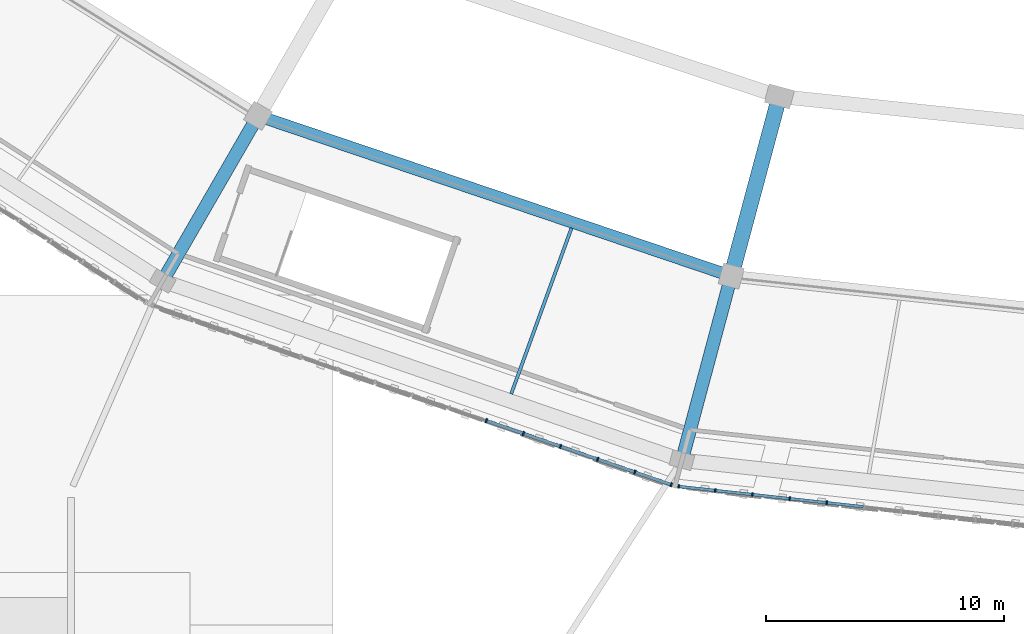
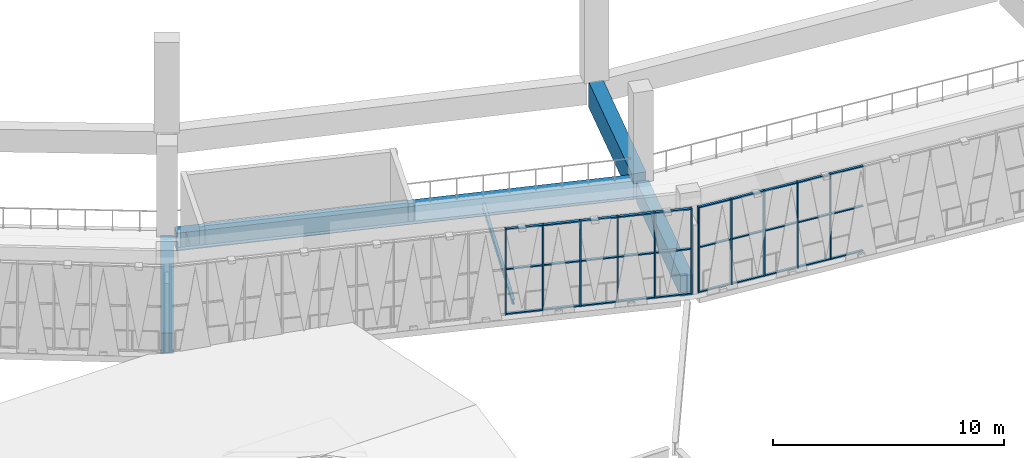
# One storey, part 8 of 108: 41 members, 5 beams, 2 elements without a shape of their own.
"""IFC4 building model written with IfcOpenShell, lengths in metres."""

from ifc_helpers import new_model, si_unit, direction, frame, origin, origin_2d, place, context, subcontext, project, spatial, rectangle, i_section, extrude, material, material_profile, profile_set, type_object, element, aggregate, save


model = new_model("IFC4")

# Units and contexts
model_context = context("Model", 3, precision=1e-05, world=origin(), true_north=direction((0.0, 1.0)))
body_context = subcontext(model_context, "Body", "Model", "MODEL_VIEW")
ifc_project = project(units=[si_unit("LENGTHUNIT", "METRE"), si_unit("AREAUNIT", "SQUARE_METRE"), si_unit("VOLUMEUNIT", "CUBIC_METRE"), si_unit("PLANEANGLEUNIT", "RADIAN"), si_unit("MASSUNIT", "GRAM", prefix="KILO")], contexts=[model_context])

# Site, building, storey
site_placement = place(None, origin())
site = spatial("IfcSite", under=ifc_project, at=site_placement, CompositionType="ELEMENT")
building_placement = place(site_placement, origin())
building = spatial("IfcBuilding", under=site, at=building_placement, Name="Zevraka Park Crest Stadium", CompositionType="ELEMENT")
storey_placement = place(building_placement, frame((0.0, 0.0, 19.800048828125)))
storey = spatial("IfcBuildingStorey", under=building, at=storey_placement, Name="L04", CompositionType="ELEMENT", Elevation=19.800048828125)

# Beams
ifc_material_1 = material(Name="Concrete C40/50", Category="concrete")
ifc_material_profile_1 = material_profile(ifc_material_1, rectangle(XDim=0.64990234375, YDim=1.35009765625, at=origin_2d()), Name="RC 1350x650")
ifc_profile_set_1 = profile_set([ifc_material_profile_1], Name="Concrete C40/50")
beam_type_1 = type_object("IfcBeamType", Name="BG01", PredefinedType="BEAM", material=ifc_profile_set_1)
beam_1_placement = place(storey_placement, frame((92.639892578125, 34.237060546875, -0.68505859375), z_axis=(-0.258747385792, -0.965945024495, 0.0), x_axis=(0.965945024495, -0.258747385792, 0.0)))
element("IfcBeam", 1, at=beam_1_placement, inside=storey, type_object=beam_type_1, Name="Radial Girder BG01 L04-BC-17", PredefinedType="BEAM", context=body_context, shape_type="SweptSolid", body=[
    extrude(rectangle(XDim=0.64990234375, YDim=1.35009765625, at=origin_2d()), origin(), (0.0, 0.0, 1.0), 7.19921875),
])
ifc_material_2 = material(Name="Concrete C40/50", Category="concrete")
ifc_material_profile_2 = material_profile(ifc_material_2, rectangle(XDim=0.550048828125, YDim=1.10009765625, at=origin_2d()), Name="RC 1100x550")
ifc_profile_set_2 = profile_set([ifc_material_profile_2], Name="Concrete C40/50")
beam_type_2 = type_object("IfcBeamType", Name="BG02", PredefinedType="BEAM", material=ifc_profile_set_2)
beam_2_placement = place(storey_placement, frame((70.699951171875, 33.4560546875, -0.56005859375), z_axis=(-0.500031859608, -0.86600700885, 0.0), x_axis=(0.86600700885, -0.500031859608, 0.0)))
element("IfcBeam", 2, at=beam_2_placement, inside=storey, type_object=beam_type_2, Name="Radial Girder BG02 L04-CD-16", PredefinedType="BEAM", context=body_context, shape_type="SweptSolid", body=[
    extrude(rectangle(XDim=0.550048828125, YDim=1.10009765625, at=origin_2d()), origin(), (0.0, 0.0, 1.0), 7.3994140625),
])
beam_3_placement = place(storey_placement, frame((90.62109375, 26.702880859375, -0.56005859375), z_axis=(-0.258697599806, -0.965958359276, 0.0), x_axis=(0.965958359276, -0.258697599806, 0.0)))
element("IfcBeam", 3, at=beam_3_placement, inside=storey, type_object=beam_type_2, Name="Radial Girder BG02 L04-CD-17", PredefinedType="BEAM", context=body_context, shape_type="SweptSolid", body=[
    extrude(rectangle(XDim=0.550048828125, YDim=1.10009765625, at=origin_2d()), origin(), (0.0, 0.0, 1.0), 7.39892578125),
])

# Curtain wall, members
ifc_material_3 = material(Name="Anodised architectural aluminium and laminated safety glass", Category="aluminium")
curtain_wall_type_1 = type_object("IfcCurtainWallType", Name="CW16", PredefinedType="NOTDEFINED", material=ifc_material_3)
curtain_wall_1_placement = place(storey_placement, origin())
curtain_wall_1 = element("IfcCurtainWall", 4, at=curtain_wall_1_placement, inside=storey, type_object=curtain_wall_type_1, Name="Unitised Ring Curtain Wall CW16 L04-17", PredefinedType="NOTDEFINED")
ifc_material_4 = material(Name="Anodised architectural aluminium", Category="aluminium")
ifc_material_profile_3 = material_profile(ifc_material_4, rectangle(XDim=0.159912109375, YDim=0.06005859375, at=origin_2d()), Name="ALU MULLION 160x60")
ifc_profile_set_3 = profile_set([ifc_material_profile_3], Name="Anodised architectural aluminium")
member_type_1 = type_object("IfcMemberType", Name="CM01", PredefinedType="MULLION", material=ifc_profile_set_3)
member_1_placement = place(storey_placement, frame((88.495849609375, 18.167724609375, 0.0), z_axis=(0.0, 0.0, 1.0), x_axis=(0.109405941967, 0.993997152844, 0.0)))
member_1 = element("IfcMember", 5, at=member_1_placement, type_object=member_type_1, Name="CW16 mullion 1", PredefinedType="MULLION", context=body_context, shape_type="SweptSolid", body=[
    extrude(rectangle(XDim=0.159912109375, YDim=0.06005859375, at=origin_2d()), origin(), (0.0, 0.0, 1.0), 4.5400390625),
])
member_2_placement = place(storey_placement, frame((90.0263671875, 17.999267578125, 0.0), z_axis=(0.0, 0.0, 1.0), x_axis=(0.109405941967, 0.993997152844, 0.0)))
member_2 = element("IfcMember", 6, at=member_2_placement, type_object=member_type_1, Name="CW16 mullion 2", PredefinedType="MULLION", context=body_context, shape_type="SweptSolid", body=[
    extrude(rectangle(XDim=0.159912109375, YDim=0.06005859375, at=origin_2d()), origin(), (0.0, 0.0, 1.0), 4.5400390625),
])
member_3_placement = place(storey_placement, frame((91.58642578125, 17.82763671875, 0.0), z_axis=(0.0, 0.0, 1.0), x_axis=(0.109405941967, 0.993997152844, 0.0)))
member_3 = element("IfcMember", 7, at=member_3_placement, type_object=member_type_1, Name="CW16 mullion 3", PredefinedType="MULLION", context=body_context, shape_type="SweptSolid", body=[
    extrude(rectangle(XDim=0.159912109375, YDim=0.06005859375, at=origin_2d()), origin(), (0.0, 0.0, 1.0), 4.5400390625),
])
member_4_placement = place(storey_placement, frame((93.146728515625, 17.65576171875, 0.0), z_axis=(0.0, 0.0, 1.0), x_axis=(0.109405941967, 0.993997152844, 0.0)))
member_4 = element("IfcMember", 8, at=member_4_placement, type_object=member_type_1, Name="CW16 mullion 4", PredefinedType="MULLION", context=body_context, shape_type="SweptSolid", body=[
    extrude(rectangle(XDim=0.159912109375, YDim=0.06005859375, at=origin_2d()), origin(), (0.0, 0.0, 1.0), 4.5400390625),
])
member_5_placement = place(storey_placement, frame((94.70703125, 17.484130859375, 0.0), z_axis=(0.0, 0.0, 1.0), x_axis=(0.109405941967, 0.993997152844, 0.0)))
member_5 = element("IfcMember", 9, at=member_5_placement, type_object=member_type_1, Name="CW16 mullion 5", PredefinedType="MULLION", context=body_context, shape_type="SweptSolid", body=[
    extrude(rectangle(XDim=0.159912109375, YDim=0.06005859375, at=origin_2d()), origin(), (0.0, 0.0, 1.0), 4.5400390625),
])

ifc_material_5 = material(Name="Anodised architectural aluminium and laminated safety glass", Category="aluminium")
curtain_wall_type_2 = type_object("IfcCurtainWallType", Name="CW17", PredefinedType="NOTDEFINED", material=ifc_material_5)
curtain_wall_2_placement = place(storey_placement, origin())
curtain_wall_2 = element("IfcCurtainWall", 10, at=curtain_wall_2_placement, inside=storey, type_object=curtain_wall_type_2, Name="Unitised Ring Curtain Wall CW17 L04-16", PredefinedType="NOTDEFINED")
ifc_material_6 = material(Name="Anodised architectural aluminium", Category="aluminium")
ifc_material_profile_4 = material_profile(ifc_material_6, rectangle(XDim=0.179931640625, YDim=0.06494140625, at=origin_2d()), Name="ALU MULLION 180x65")
ifc_profile_set_4 = profile_set([ifc_material_profile_4], Name="Anodised architectural aluminium")
member_type_2 = type_object("IfcMemberType", Name="CM02", PredefinedType="MULLION", material=ifc_profile_set_4)
member_6_placement = place(storey_placement, frame((80.4248046875, 20.9248046875, 0.0), z_axis=(0.0, 0.0, 1.0), x_axis=(0.327244524523, 0.944939691816, 0.0)))
member_6 = element("IfcMember", 11, at=member_6_placement, type_object=member_type_2, Name="CW17 mullion 10", PredefinedType="MULLION", context=body_context, shape_type="SweptSolid", body=[
    extrude(rectangle(XDim=0.179931640625, YDim=0.06494140625, at=origin_2d()), origin(), (0.0, 0.0, 1.0), 4.5400390625),
])
member_7_placement = place(storey_placement, frame((81.982177734375, 20.385498046875, 0.0), z_axis=(0.0, 0.0, 1.0), x_axis=(0.327244524523, 0.944939691816, 0.0)))
member_7 = element("IfcMember", 12, at=member_7_placement, type_object=member_type_2, Name="CW17 mullion 11", PredefinedType="MULLION", context=body_context, shape_type="SweptSolid", body=[
    extrude(rectangle(XDim=0.179931640625, YDim=0.06494140625, at=origin_2d()), origin(), (0.0, 0.0, 1.0), 4.5400390625),
])
member_8_placement = place(storey_placement, frame((83.539794921875, 19.84619140625, 0.0), z_axis=(0.0, 0.0, 1.0), x_axis=(0.327244524523, 0.944939691816, 0.0)))
member_8 = element("IfcMember", 13, at=member_8_placement, type_object=member_type_2, Name="CW17 mullion 12", PredefinedType="MULLION", context=body_context, shape_type="SweptSolid", body=[
    extrude(rectangle(XDim=0.179931640625, YDim=0.06494140625, at=origin_2d()), origin(), (0.0, 0.0, 1.0), 4.5400390625),
])
member_9_placement = place(storey_placement, frame((85.09716796875, 19.306640625, 0.0), z_axis=(0.0, 0.0, 1.0), x_axis=(0.327244524523, 0.944939691816, 0.0)))
member_9 = element("IfcMember", 14, at=member_9_placement, type_object=member_type_2, Name="CW17 mullion 13", PredefinedType="MULLION", context=body_context, shape_type="SweptSolid", body=[
    extrude(rectangle(XDim=0.179931640625, YDim=0.06494140625, at=origin_2d()), origin(), (0.0, 0.0, 1.0), 4.5400390625),
])
member_10_placement = place(storey_placement, frame((86.654541015625, 18.767333984375, 0.0), z_axis=(0.0, 0.0, 1.0), x_axis=(0.327244524523, 0.944939691816, 0.0)))
member_10 = element("IfcMember", 15, at=member_10_placement, type_object=member_type_2, Name="CW17 mullion 14", PredefinedType="MULLION", context=body_context, shape_type="SweptSolid", body=[
    extrude(rectangle(XDim=0.179931640625, YDim=0.06494140625, at=origin_2d()), origin(), (0.0, 0.0, 1.0), 4.5400390625),
])
member_11_placement = place(storey_placement, frame((88.181396484375, 18.238525390625, 0.0), z_axis=(0.0, 0.0, 1.0), x_axis=(0.327244524523, 0.944939691816, 0.0)))
member_11 = element("IfcMember", 16, at=member_11_placement, type_object=member_type_2, Name="CW17 mullion 15", PredefinedType="MULLION", context=body_context, shape_type="SweptSolid", body=[
    extrude(rectangle(XDim=0.179931640625, YDim=0.06494140625, at=origin_2d()), origin(), (0.0, 0.0, 1.0), 4.5400390625),
])

# Member
ifc_material_7 = material(Name="Anodised architectural aluminium", Category="aluminium")
ifc_material_profile_5 = material_profile(ifc_material_7, rectangle(XDim=0.1201171875, YDim=0.06005859375, at=origin_2d()), Name="ALU TRANSOM 120x60")
ifc_profile_set_5 = profile_set([ifc_material_profile_5], Name="Anodised architectural aluminium")
member_type_3 = type_object("IfcMemberType", Name="CT01", PredefinedType="USERDEFINED", material=ifc_profile_set_5)
member_12_placement = place(storey_placement, frame((88.525634765625, 18.16455078125, 0.030029296875), z_axis=(0.993979941823, -0.109562198103, 0.0), x_axis=(0.109562198103, 0.993979941823, 0.0)))
member_12 = element("IfcMember", 17, at=member_12_placement, type_object=member_type_3, Name="CW16 transom 1.1", ObjectType="TRANSOM", PredefinedType="USERDEFINED", context=body_context, shape_type="SweptSolid", body=[
    extrude(rectangle(XDim=0.1201171875, YDim=0.06005859375, at=origin_2d()), origin(), (0.0, 0.0, 1.0), 1.4794921875),
])

member_13_placement = place(storey_placement, frame((88.525634765625, 18.16455078125, 2.39990234375), z_axis=(0.993979941823, -0.109562198103, 0.0), x_axis=(0.109562198103, 0.993979941823, 0.0)))
member_13 = element("IfcMember", 18, at=member_13_placement, type_object=member_type_3, Name="CW16 transom 1.2", ObjectType="TRANSOM", PredefinedType="USERDEFINED", context=body_context, shape_type="SweptSolid", body=[
    extrude(rectangle(XDim=0.1201171875, YDim=0.06005859375, at=origin_2d()), origin(), (0.0, 0.0, 1.0), 1.4794921875),
])

member_14_placement = place(storey_placement, frame((88.525634765625, 18.16455078125, 4.510009765625), z_axis=(0.993979941823, -0.109562198103, 0.0), x_axis=(0.109562198103, 0.993979941823, 0.0)))
member_14 = element("IfcMember", 19, at=member_14_placement, type_object=member_type_3, Name="CW16 transom 1.3", ObjectType="TRANSOM", PredefinedType="USERDEFINED", context=body_context, shape_type="SweptSolid", body=[
    extrude(rectangle(XDim=0.1201171875, YDim=0.06005859375, at=origin_2d()), origin(), (0.0, 0.0, 1.0), 1.4794921875),
])

member_15_placement = place(storey_placement, frame((90.05615234375, 17.99609375, 0.030029296875), z_axis=(0.993987821711, -0.10949068586, 0.0), x_axis=(0.10949068586, 0.993987821711, 0.0)))
member_15 = element("IfcMember", 20, at=member_15_placement, type_object=member_type_3, Name="CW16 transom 2.1", ObjectType="TRANSOM", PredefinedType="USERDEFINED", context=body_context, shape_type="SweptSolid", body=[
    extrude(rectangle(XDim=0.1201171875, YDim=0.06005859375, at=origin_2d()), origin(), (0.0, 0.0, 1.0), 1.509521484375),
])

member_16_placement = place(storey_placement, frame((90.05615234375, 17.99609375, 2.39990234375), z_axis=(0.993987821711, -0.10949068586, 0.0), x_axis=(0.10949068586, 0.993987821711, 0.0)))
member_16 = element("IfcMember", 21, at=member_16_placement, type_object=member_type_3, Name="CW16 transom 2.2", ObjectType="TRANSOM", PredefinedType="USERDEFINED", context=body_context, shape_type="SweptSolid", body=[
    extrude(rectangle(XDim=0.1201171875, YDim=0.06005859375, at=origin_2d()), origin(), (0.0, 0.0, 1.0), 1.509521484375),
])

member_17_placement = place(storey_placement, frame((90.05615234375, 17.99609375, 4.510009765625), z_axis=(0.993987821711, -0.10949068586, 0.0), x_axis=(0.10949068586, 0.993987821711, 0.0)))
member_17 = element("IfcMember", 22, at=member_17_placement, type_object=member_type_3, Name="CW16 transom 2.3", ObjectType="TRANSOM", PredefinedType="USERDEFINED", context=body_context, shape_type="SweptSolid", body=[
    extrude(rectangle(XDim=0.1201171875, YDim=0.06005859375, at=origin_2d()), origin(), (0.0, 0.0, 1.0), 1.509521484375),
])

member_18_placement = place(storey_placement, frame((91.616455078125, 17.82421875, 0.030029296875), z_axis=(0.994005410559, -0.109330891236, 0.0), x_axis=(0.109330891236, 0.994005410559, 0.0)))
member_18 = element("IfcMember", 23, at=member_18_placement, type_object=member_type_3, Name="CW16 transom 3.1", ObjectType="TRANSOM", PredefinedType="USERDEFINED", context=body_context, shape_type="SweptSolid", body=[
    extrude(rectangle(XDim=0.1201171875, YDim=0.06005859375, at=origin_2d()), origin(), (0.0, 0.0, 1.0), 1.509521484375),
])

member_19_placement = place(storey_placement, frame((91.616455078125, 17.82421875, 2.39990234375), z_axis=(0.994005410559, -0.109330891236, 0.0), x_axis=(0.109330891236, 0.994005410559, 0.0)))
member_19 = element("IfcMember", 24, at=member_19_placement, type_object=member_type_3, Name="CW16 transom 3.2", ObjectType="TRANSOM", PredefinedType="USERDEFINED", context=body_context, shape_type="SweptSolid", body=[
    extrude(rectangle(XDim=0.1201171875, YDim=0.06005859375, at=origin_2d()), origin(), (0.0, 0.0, 1.0), 1.509521484375),
])

member_20_placement = place(storey_placement, frame((91.616455078125, 17.82421875, 4.510009765625), z_axis=(0.994005410559, -0.109330891236, 0.0), x_axis=(0.109330891236, 0.994005410559, 0.0)))
member_20 = element("IfcMember", 25, at=member_20_placement, type_object=member_type_3, Name="CW16 transom 3.3", ObjectType="TRANSOM", PredefinedType="USERDEFINED", context=body_context, shape_type="SweptSolid", body=[
    extrude(rectangle(XDim=0.1201171875, YDim=0.06005859375, at=origin_2d()), origin(), (0.0, 0.0, 1.0), 1.509521484375),
])

member_21_placement = place(storey_placement, frame((93.176513671875, 17.652587890625, 0.030029296875), z_axis=(0.993989760088, -0.109473087291, 0.0), x_axis=(0.109473087291, 0.993989760088, 0.0)))
member_21 = element("IfcMember", 26, at=member_21_placement, type_object=member_type_3, Name="CW16 transom 4.1", ObjectType="TRANSOM", PredefinedType="USERDEFINED", context=body_context, shape_type="SweptSolid", body=[
    extrude(rectangle(XDim=0.1201171875, YDim=0.06005859375, at=origin_2d()), origin(), (0.0, 0.0, 1.0), 1.509765625),
])

member_22_placement = place(storey_placement, frame((93.176513671875, 17.652587890625, 2.39990234375), z_axis=(0.993989760088, -0.109473087291, 0.0), x_axis=(0.109473087291, 0.993989760088, 0.0)))
member_22 = element("IfcMember", 27, at=member_22_placement, type_object=member_type_3, Name="CW16 transom 4.2", ObjectType="TRANSOM", PredefinedType="USERDEFINED", context=body_context, shape_type="SweptSolid", body=[
    extrude(rectangle(XDim=0.1201171875, YDim=0.06005859375, at=origin_2d()), origin(), (0.0, 0.0, 1.0), 1.509765625),
])

member_23_placement = place(storey_placement, frame((93.176513671875, 17.652587890625, 4.510009765625), z_axis=(0.993989760088, -0.109473087291, 0.0), x_axis=(0.109473087291, 0.993989760088, 0.0)))
member_23 = element("IfcMember", 28, at=member_23_placement, type_object=member_type_3, Name="CW16 transom 4.3", ObjectType="TRANSOM", PredefinedType="USERDEFINED", context=body_context, shape_type="SweptSolid", body=[
    extrude(rectangle(XDim=0.1201171875, YDim=0.06005859375, at=origin_2d()), origin(), (0.0, 0.0, 1.0), 1.509765625),
])

member_24_placement = place(storey_placement, frame((94.73681640625, 17.480712890625, 0.030029296875), z_axis=(0.994007343316, -0.109313317729, 0.0), x_axis=(0.109313317729, 0.994007343316, 0.0)))
member_24 = element("IfcMember", 29, at=member_24_placement, type_object=member_type_3, Name="CW16 transom 5.1", ObjectType="TRANSOM", PredefinedType="USERDEFINED", context=body_context, shape_type="SweptSolid", body=[
    extrude(rectangle(XDim=0.1201171875, YDim=0.06005859375, at=origin_2d()), origin(), (0.0, 0.0, 1.0), 1.509765625),
])

member_25_placement = place(storey_placement, frame((94.73681640625, 17.480712890625, 2.39990234375), z_axis=(0.994007343316, -0.109313317729, 0.0), x_axis=(0.109313317729, 0.994007343316, 0.0)))
member_25 = element("IfcMember", 30, at=member_25_placement, type_object=member_type_3, Name="CW16 transom 5.2", ObjectType="TRANSOM", PredefinedType="USERDEFINED", context=body_context, shape_type="SweptSolid", body=[
    extrude(rectangle(XDim=0.1201171875, YDim=0.06005859375, at=origin_2d()), origin(), (0.0, 0.0, 1.0), 1.509765625),
])

member_26_placement = place(storey_placement, frame((94.73681640625, 17.480712890625, 4.510009765625), z_axis=(0.994007343316, -0.109313317729, 0.0), x_axis=(0.109313317729, 0.994007343316, 0.0)))
member_26 = element("IfcMember", 31, at=member_26_placement, type_object=member_type_3, Name="CW16 transom 5.3", ObjectType="TRANSOM", PredefinedType="USERDEFINED", context=body_context, shape_type="SweptSolid", body=[
    extrude(rectangle(XDim=0.1201171875, YDim=0.06005859375, at=origin_2d()), origin(), (0.0, 0.0, 1.0), 1.509765625),
])

aggregate(curtain_wall_1, [member_1, member_2, member_3, member_4, member_5, member_12, member_13, member_14, member_15, member_16, member_17, member_18, member_19, member_20, member_21, member_22, member_23, member_24, member_25, member_26])

ifc_material_8 = material(Name="Anodised architectural aluminium", Category="aluminium")
ifc_material_profile_6 = material_profile(ifc_material_8, rectangle(XDim=0.139892578125, YDim=0.06494140625, at=origin_2d()), Name="ALU TRANSOM 140x65")
ifc_profile_set_6 = profile_set([ifc_material_profile_6], Name="Anodised architectural aluminium")
member_type_4 = type_object("IfcMemberType", Name="CT02", PredefinedType="USERDEFINED", material=ifc_profile_set_6)
member_27_placement = place(storey_placement, frame((80.45556640625, 20.9140625, 0.032470703125), z_axis=(0.94494940126, -0.327216486533, 0.0), x_axis=(0.327216486533, 0.94494940126, 0.0)))
member_27 = element("IfcMember", 32, at=member_27_placement, type_object=member_type_4, Name="CW17 transom 10.1", ObjectType="TRANSOM", PredefinedType="USERDEFINED", context=body_context, shape_type="SweptSolid", body=[
    extrude(rectangle(XDim=0.139892578125, YDim=0.06494140625, at=origin_2d()), origin(), (0.0, 0.0, 1.0), 1.583251953125),
])

member_28_placement = place(storey_placement, frame((80.45556640625, 20.9140625, 2.39990234375), z_axis=(0.94494940126, -0.327216486533, 0.0), x_axis=(0.327216486533, 0.94494940126, 0.0)))
member_28 = element("IfcMember", 33, at=member_28_placement, type_object=member_type_4, Name="CW17 transom 10.2", ObjectType="TRANSOM", PredefinedType="USERDEFINED", context=body_context, shape_type="SweptSolid", body=[
    extrude(rectangle(XDim=0.139892578125, YDim=0.06494140625, at=origin_2d()), origin(), (0.0, 0.0, 1.0), 1.583251953125),
])

member_29_placement = place(storey_placement, frame((80.45556640625, 20.9140625, 4.507568359375), z_axis=(0.94494940126, -0.327216486533, 0.0), x_axis=(0.327216486533, 0.94494940126, 0.0)))
member_29 = element("IfcMember", 34, at=member_29_placement, type_object=member_type_4, Name="CW17 transom 10.3", ObjectType="TRANSOM", PredefinedType="USERDEFINED", context=body_context, shape_type="SweptSolid", body=[
    extrude(rectangle(XDim=0.139892578125, YDim=0.06494140625, at=origin_2d()), origin(), (0.0, 0.0, 1.0), 1.583251953125),
])

member_30_placement = place(storey_placement, frame((82.012939453125, 20.374755859375, 0.032470703125), z_axis=(0.94494940126, -0.327216486533, 0.0), x_axis=(0.327216486533, 0.94494940126, 0.0)))
member_30 = element("IfcMember", 35, at=member_30_placement, type_object=member_type_4, Name="CW17 transom 11.1", ObjectType="TRANSOM", PredefinedType="USERDEFINED", context=body_context, shape_type="SweptSolid", body=[
    extrude(rectangle(XDim=0.139892578125, YDim=0.06494140625, at=origin_2d()), origin(), (0.0, 0.0, 1.0), 1.583251953125),
])

member_31_placement = place(storey_placement, frame((82.012939453125, 20.374755859375, 2.39990234375), z_axis=(0.94494940126, -0.327216486533, 0.0), x_axis=(0.327216486533, 0.94494940126, 0.0)))
member_31 = element("IfcMember", 36, at=member_31_placement, type_object=member_type_4, Name="CW17 transom 11.2", ObjectType="TRANSOM", PredefinedType="USERDEFINED", context=body_context, shape_type="SweptSolid", body=[
    extrude(rectangle(XDim=0.139892578125, YDim=0.06494140625, at=origin_2d()), origin(), (0.0, 0.0, 1.0), 1.583251953125),
])

member_32_placement = place(storey_placement, frame((82.012939453125, 20.374755859375, 4.507568359375), z_axis=(0.94494940126, -0.327216486533, 0.0), x_axis=(0.327216486533, 0.94494940126, 0.0)))
member_32 = element("IfcMember", 37, at=member_32_placement, type_object=member_type_4, Name="CW17 transom 11.3", ObjectType="TRANSOM", PredefinedType="USERDEFINED", context=body_context, shape_type="SweptSolid", body=[
    extrude(rectangle(XDim=0.139892578125, YDim=0.06494140625, at=origin_2d()), origin(), (0.0, 0.0, 1.0), 1.583251953125),
])

member_33_placement = place(storey_placement, frame((83.5703125, 19.83544921875, 0.032470703125), z_axis=(0.94494940126, -0.327216486533, 0.0), x_axis=(0.327216486533, 0.94494940126, 0.0)))
member_33 = element("IfcMember", 38, at=member_33_placement, type_object=member_type_4, Name="CW17 transom 12.1", ObjectType="TRANSOM", PredefinedType="USERDEFINED", context=body_context, shape_type="SweptSolid", body=[
    extrude(rectangle(XDim=0.139892578125, YDim=0.06494140625, at=origin_2d()), origin(), (0.0, 0.0, 1.0), 1.583251953125),
])

member_34_placement = place(storey_placement, frame((83.5703125, 19.83544921875, 2.39990234375), z_axis=(0.94494940126, -0.327216486533, 0.0), x_axis=(0.327216486533, 0.94494940126, 0.0)))
member_34 = element("IfcMember", 39, at=member_34_placement, type_object=member_type_4, Name="CW17 transom 12.2", ObjectType="TRANSOM", PredefinedType="USERDEFINED", context=body_context, shape_type="SweptSolid", body=[
    extrude(rectangle(XDim=0.139892578125, YDim=0.06494140625, at=origin_2d()), origin(), (0.0, 0.0, 1.0), 1.583251953125),
])

member_35_placement = place(storey_placement, frame((83.5703125, 19.83544921875, 4.507568359375), z_axis=(0.94494940126, -0.327216486533, 0.0), x_axis=(0.327216486533, 0.94494940126, 0.0)))
member_35 = element("IfcMember", 40, at=member_35_placement, type_object=member_type_4, Name="CW17 transom 12.3", ObjectType="TRANSOM", PredefinedType="USERDEFINED", context=body_context, shape_type="SweptSolid", body=[
    extrude(rectangle(XDim=0.139892578125, YDim=0.06494140625, at=origin_2d()), origin(), (0.0, 0.0, 1.0), 1.583251953125),
])

member_36_placement = place(storey_placement, frame((85.1279296875, 19.296142578125, 0.032470703125), z_axis=(0.944932887153, -0.327264172766, 0.0), x_axis=(0.327264172766, 0.944932887153, 0.0)))
member_36 = element("IfcMember", 41, at=member_36_placement, type_object=member_type_4, Name="CW17 transom 13.1", ObjectType="TRANSOM", PredefinedType="USERDEFINED", context=body_context, shape_type="SweptSolid", body=[
    extrude(rectangle(XDim=0.139892578125, YDim=0.06494140625, at=origin_2d()), origin(), (0.0, 0.0, 1.0), 1.5830078125),
])

member_37_placement = place(storey_placement, frame((85.1279296875, 19.296142578125, 2.39990234375), z_axis=(0.944932887153, -0.327264172766, 0.0), x_axis=(0.327264172766, 0.944932887153, 0.0)))
member_37 = element("IfcMember", 42, at=member_37_placement, type_object=member_type_4, Name="CW17 transom 13.2", ObjectType="TRANSOM", PredefinedType="USERDEFINED", context=body_context, shape_type="SweptSolid", body=[
    extrude(rectangle(XDim=0.139892578125, YDim=0.06494140625, at=origin_2d()), origin(), (0.0, 0.0, 1.0), 1.5830078125),
])

member_38_placement = place(storey_placement, frame((85.1279296875, 19.296142578125, 4.507568359375), z_axis=(0.944932887153, -0.327264172766, 0.0), x_axis=(0.327264172766, 0.944932887153, 0.0)))
member_38 = element("IfcMember", 43, at=member_38_placement, type_object=member_type_4, Name="CW17 transom 13.3", ObjectType="TRANSOM", PredefinedType="USERDEFINED", context=body_context, shape_type="SweptSolid", body=[
    extrude(rectangle(XDim=0.139892578125, YDim=0.06494140625, at=origin_2d()), origin(), (0.0, 0.0, 1.0), 1.5830078125),
])

member_39_placement = place(storey_placement, frame((86.685302734375, 18.7568359375, 0.032470703125), z_axis=(0.944918670821, -0.3273052177, 0.0), x_axis=(0.3273052177, 0.944918670821, 0.0)))
member_39 = element("IfcMember", 44, at=member_39_placement, type_object=member_type_4, Name="CW17 transom 14.1", ObjectType="TRANSOM", PredefinedType="USERDEFINED", context=body_context, shape_type="SweptSolid", body=[
    extrude(rectangle(XDim=0.139892578125, YDim=0.06494140625, at=origin_2d()), origin(), (0.0, 0.0, 1.0), 1.55078125),
])

member_40_placement = place(storey_placement, frame((86.685302734375, 18.7568359375, 2.39990234375), z_axis=(0.944918670821, -0.3273052177, 0.0), x_axis=(0.3273052177, 0.944918670821, 0.0)))
member_40 = element("IfcMember", 45, at=member_40_placement, type_object=member_type_4, Name="CW17 transom 14.2", ObjectType="TRANSOM", PredefinedType="USERDEFINED", context=body_context, shape_type="SweptSolid", body=[
    extrude(rectangle(XDim=0.139892578125, YDim=0.06494140625, at=origin_2d()), origin(), (0.0, 0.0, 1.0), 1.55078125),
])

member_41_placement = place(storey_placement, frame((86.685302734375, 18.7568359375, 4.507568359375), z_axis=(0.944918670821, -0.3273052177, 0.0), x_axis=(0.3273052177, 0.944918670821, 0.0)))
member_41 = element("IfcMember", 46, at=member_41_placement, type_object=member_type_4, Name="CW17 transom 14.3", ObjectType="TRANSOM", PredefinedType="USERDEFINED", context=body_context, shape_type="SweptSolid", body=[
    extrude(rectangle(XDim=0.139892578125, YDim=0.06494140625, at=origin_2d()), origin(), (0.0, 0.0, 1.0), 1.55078125),
])

aggregate(curtain_wall_2, [member_6, member_7, member_8, member_9, member_10, member_11, member_27, member_28, member_29, member_30, member_31, member_32, member_33, member_34, member_35, member_36, member_37, member_38, member_39, member_40, member_41])

# Beams
ifc_material_9 = material(Name="Concrete C40/50", Category="concrete")
ifc_material_profile_7 = material_profile(ifc_material_9, rectangle(XDim=0.5, YDim=0.949951171875, at=origin_2d()), Name="RC 950x500")
ifc_profile_set_7 = profile_set([ifc_material_profile_7], Name="Concrete C40/50")
beam_type_3 = type_object("IfcBeamType", Name="RB02", PredefinedType="BEAM", material=ifc_profile_set_7)
beam_4_placement = place(storey_placement, frame((71.2099609375, 33.593994140625, -0.485107421875), z_axis=(0.947147952377, -0.320797064058, 0.0), x_axis=(0.320797064058, 0.947147952377, 0.0)))
element("IfcBeam", 47, at=beam_4_placement, inside=storey, type_object=beam_type_3, Name="Ring Beam RB02 L04-C-16", PredefinedType="BEAM", context=body_context, shape_type="SweptSolid", body=[
    extrude(rectangle(XDim=0.5, YDim=0.949951171875, at=origin_2d()), origin(), (0.0, 0.0, 1.0), 20.196533203125),
])
ifc_material_10 = material(Name="Steel S355", Category="steel")
ifc_material_profile_8 = material_profile(ifc_material_10, i_section(OverallWidth=0.135009765625, OverallDepth=0.27001953125, WebThickness=0.006591796875, FlangeThickness=0.01025390625, at=origin_2d()), Name="IPE 270")
ifc_profile_set_8 = profile_set([ifc_material_profile_8], Name="Steel S355")
beam_type_4 = type_object("IfcBeamType", Name="SJ07", PredefinedType="JOIST", material=ifc_profile_set_8)
beam_5_placement = place(storey_placement, frame((83.9990234375, 29.00390625, -0.403076171875), z_axis=(-0.341830495342, -0.939761625336, 0.0), x_axis=(0.939761625336, -0.341830495342, 0.0)))
element("IfcBeam", 48, at=beam_5_placement, inside=storey, type_object=beam_type_4, Name="Floor Joist SJ07 L04-CD-16-2", PredefinedType="JOIST", context=body_context, shape_type="SweptSolid", body=[
    extrude(i_section(OverallWidth=0.135009765625, OverallDepth=0.27001953125, WebThickness=0.006591796875, FlangeThickness=0.01025390625, at=origin_2d()), origin(), (0.0, 0.0, 1.0), 7.3984375),
])

save(model, "model.ifc")
